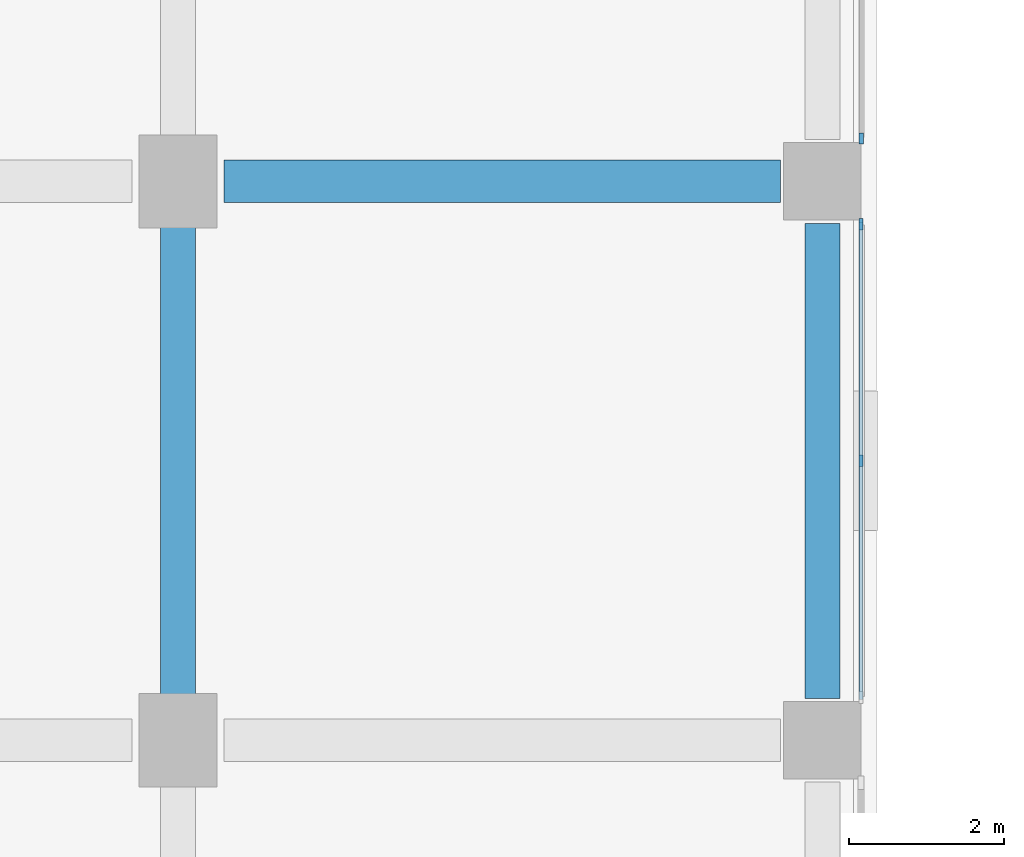
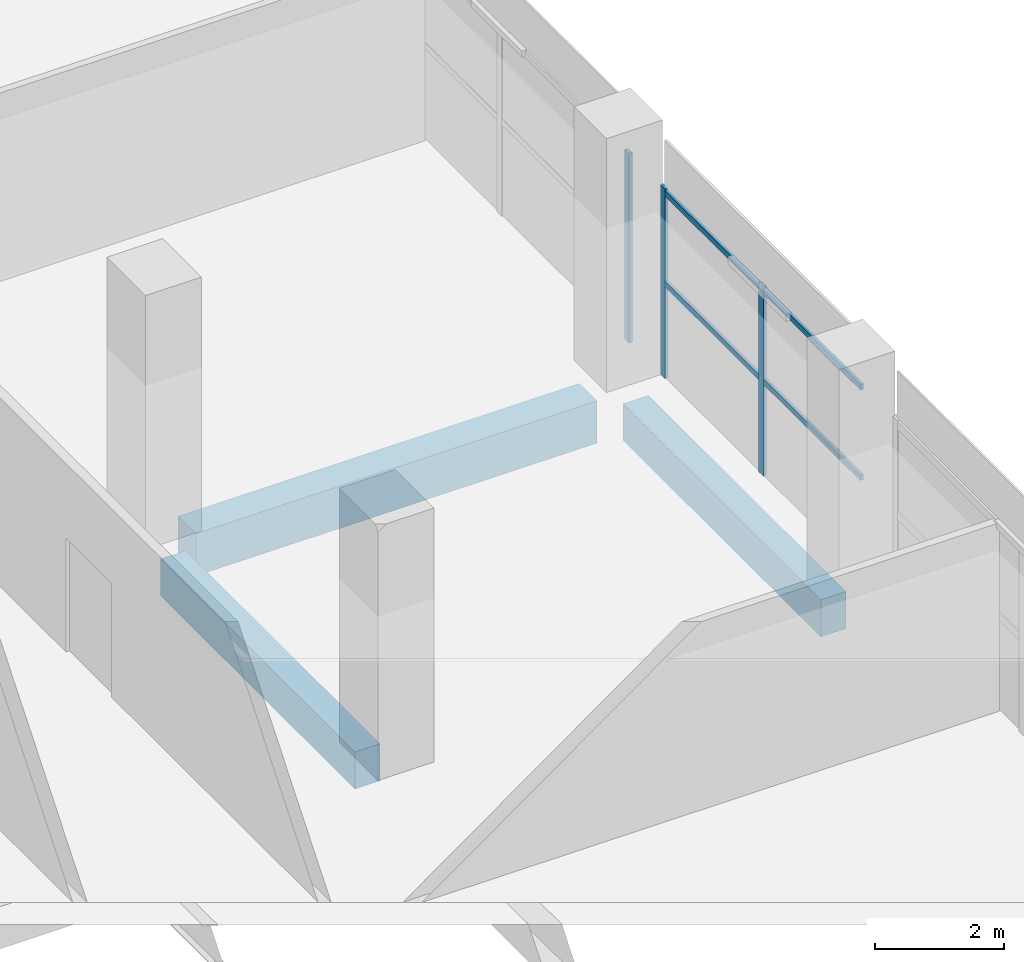
# One storey, part 19 of 111: 5 members, 3 beams, 2 elements without a shape of their own.
"""IFC4 building model written with IfcOpenShell, lengths in metres."""

from ifc_helpers import new_model, si_unit, direction, frame, origin, origin_2d, place, context, subcontext, project, spatial, rectangle, extrude, material, material_profile, profile_set, type_object, element, aggregate, save


model = new_model("IFC4")

# Units and contexts
model_context = context("Model", 3, precision=1e-05, world=origin(), true_north=direction((0.0, 1.0)))
body_context = subcontext(model_context, "Body", "Model", "MODEL_VIEW")
ifc_project = project(units=[si_unit("LENGTHUNIT", "METRE"), si_unit("AREAUNIT", "SQUARE_METRE"), si_unit("VOLUMEUNIT", "CUBIC_METRE"), si_unit("PLANEANGLEUNIT", "RADIAN"), si_unit("MASSUNIT", "GRAM", prefix="KILO"), si_unit("THERMODYNAMICTEMPERATUREUNIT", "KELVIN"), si_unit("POWERUNIT", "WATT")], contexts=[model_context])

# Site, building, storey
site_placement = place(None, origin())
site = spatial("IfcSite", under=ifc_project, at=site_placement, CompositionType="ELEMENT")
building_placement = place(site_placement, origin())
building = spatial("IfcBuilding", under=site, at=building_placement, Name="Sindhuravela Promenade Stadium", CompositionType="ELEMENT")
storey_placement = place(building_placement, frame((0.0, 0.0, 9.60009765625)))
storey = spatial("IfcBuildingStorey", under=building, at=storey_placement, Name="L02", CompositionType="ELEMENT", Elevation=9.60009765625)

# Curtain wall, member
ifc_material_1 = material(Name="Anodised architectural aluminium 6063-T6", Category="aluminium")
curtain_wall_type_1 = type_object("IfcCurtainWallType", Name="CW-MOD-1", PredefinedType="NOTDEFINED", material=ifc_material_1)
curtain_wall_1_placement = place(storey_placement, origin())
curtain_wall_1 = element("IfcCurtainWall", 1, at=curtain_wall_1_placement, inside=storey, type_object=curtain_wall_type_1, Name="Bronze curtain wall CW-WEST-L02-016", PredefinedType="NOTDEFINED")
ifc_material_profile_1 = material_profile(ifc_material_1, rectangle(XDim=0.06005859375, YDim=0.139892578125, at=origin_2d()), Name="ALU M60x140")
ifc_profile_set_1 = profile_set([ifc_material_profile_1], Name="Anodised architectural aluminium 6063-T6")
member_type_1 = type_object("IfcMemberType", Name="CW-MUL-5", PredefinedType="MULLION", material=ifc_profile_set_1)
member_1_placement = place(storey_placement, frame((44.800048828125, 101.35009765625, 0.0), z_axis=(0.0, 0.0, 1.0), x_axis=(1.0, 0.0, 0.0)))
member_1 = element("IfcMember", 2, at=member_1_placement, type_object=member_type_1, Name="Curtain wall mullion CW-WEST-L02-016-M3", PredefinedType="MULLION", context=body_context, shape_type="SweptSolid", body=[
    extrude(rectangle(XDim=0.06005859375, YDim=0.139892578125, at=origin_2d()), origin(), (0.0, 0.0, 1.0), 3.579833984375),
])
aggregate(curtain_wall_1, [member_1])

# Curtain wall, members
curtain_wall_type_2 = type_object("IfcCurtainWallType", Name="CW-MOD-2", PredefinedType="NOTDEFINED", material=ifc_material_1)
curtain_wall_2_placement = place(storey_placement, origin())
curtain_wall_2 = element("IfcCurtainWall", 3, at=curtain_wall_2_placement, inside=storey, type_object=curtain_wall_type_2, Name="Bronze curtain wall CW-WEST-L02-017", PredefinedType="NOTDEFINED")
ifc_material_profile_2 = material_profile(ifc_material_1, rectangle(XDim=0.054931640625, YDim=0.14990234375, at=origin_2d()), Name="ALU M55x150")
ifc_profile_set_2 = profile_set([ifc_material_profile_2], Name="Anodised architectural aluminium 6063-T6")
member_type_2 = type_object("IfcMemberType", Name="CW-MUL-6", PredefinedType="MULLION", material=ifc_profile_set_2)
member_2_placement = place(storey_placement, frame((44.800048828125, 100.25, 0.0), z_axis=(0.0, 0.0, 1.0), x_axis=(1.0, 0.0, 0.0)))
member_2 = element("IfcMember", 4, at=member_2_placement, type_object=member_type_2, Name="Curtain wall mullion CW-WEST-L02-017-M1", PredefinedType="MULLION", context=body_context, shape_type="SweptSolid", body=[
    extrude(rectangle(XDim=0.054931640625, YDim=0.14990234375, at=origin_2d()), origin(), (0.0, 0.0, 1.0), 3.579833984375),
])
member_3_placement = place(storey_placement, frame((44.800048828125, 97.199951171875, 0.0), z_axis=(0.0, 0.0, 1.0), x_axis=(1.0, 0.0, 0.0)))
member_3 = element("IfcMember", 5, at=member_3_placement, type_object=member_type_2, Name="Curtain wall mullion CW-WEST-L02-017-M2", PredefinedType="MULLION", context=body_context, shape_type="SweptSolid", body=[
    extrude(rectangle(XDim=0.054931640625, YDim=0.14990234375, at=origin_2d()), origin(), (0.0, 0.0, 1.0), 3.579833984375),
])
ifc_material_profile_3 = material_profile(ifc_material_1, rectangle(XDim=0.054931640625, YDim=0.10498046875, at=origin_2d()), Name="ALU T55x105")
ifc_profile_set_3 = profile_set([ifc_material_profile_3], Name="Anodised architectural aluminium 6063-T6")
member_type_3 = type_object("IfcMemberType", Name="CW-TRN-6", PredefinedType="USERDEFINED", material=ifc_profile_set_3)
member_4_placement = place(storey_placement, frame((44.800048828125, 100.27490234375, 1.789794921875), z_axis=(0.0, -1.0, 0.0), x_axis=(1.0, 0.0, 0.0)))
member_4 = element("IfcMember", 6, at=member_4_placement, type_object=member_type_3, Name="Curtain wall transom CW-WEST-L02-017-T1", ObjectType="TRANSOM", PredefinedType="USERDEFINED", context=body_context, shape_type="SweptSolid", body=[
    extrude(rectangle(XDim=0.054931640625, YDim=0.10498046875, at=origin_2d()), origin(), (0.0, 0.0, 1.0), 6.14990234375),
])
member_5_placement = place(storey_placement, frame((44.800048828125, 100.27490234375, 3.5), z_axis=(0.0, -1.0, 0.0), x_axis=(1.0, 0.0, 0.0)))
member_5 = element("IfcMember", 7, at=member_5_placement, type_object=member_type_3, Name="Curtain wall transom CW-WEST-L02-017-T2", ObjectType="TRANSOM", PredefinedType="USERDEFINED", context=body_context, shape_type="SweptSolid", body=[
    extrude(rectangle(XDim=0.054931640625, YDim=0.10498046875, at=origin_2d()), origin(), (0.0, 0.0, 1.0), 6.14990234375),
])
aggregate(curtain_wall_2, [member_2, member_3, member_4, member_5])

# Beams
ifc_material_2 = material(Name="Concrete M40", Category="concrete")
ifc_material_profile_4 = material_profile(ifc_material_2, rectangle(XDim=0.449951171875, YDim=0.699951171875, at=origin_2d()), Name="RC 450x700")
ifc_profile_set_4 = profile_set([ifc_material_profile_4], Name="Concrete M40")
beam_type_1 = type_object("IfcBeamType", Name="RC-BM-450x700", PredefinedType="BEAM", material=ifc_profile_set_4)
beam_1_placement = place(storey_placement, frame((36.0, 94.18994140625, -0.630126953125), z_axis=(0.0, 1.0, 0.0), x_axis=(-1.0, 0.0, 0.0)))
element("IfcBeam", 8, at=beam_1_placement, inside=storey, type_object=beam_type_1, Name="Primary beam GB07 WEST L02", PredefinedType="BEAM", context=body_context, shape_type="SweptSolid", body=[
    extrude(rectangle(XDim=0.449951171875, YDim=0.699951171875, at=origin_2d()), origin(), (0.0, 0.0, 1.0), 6.02001953125),
])
beam_2_placement = place(storey_placement, frame((44.300048828125, 94.139892578125, -0.630126953125), z_axis=(0.0, 1.0, 0.0), x_axis=(-1.0, 0.0, 0.0)))
element("IfcBeam", 9, at=beam_2_placement, inside=storey, type_object=beam_type_1, Name="Primary beam GB07 WEST L02", PredefinedType="BEAM", context=body_context, shape_type="SweptSolid", body=[
    extrude(rectangle(XDim=0.449951171875, YDim=0.699951171875, at=origin_2d()), origin(), (0.0, 0.0, 1.0), 6.1201171875),
])
ifc_material_profile_5 = material_profile(ifc_material_2, rectangle(XDim=0.550048828125, YDim=0.800048828125, at=origin_2d()), Name="RC 550x800")
ifc_profile_set_5 = profile_set([ifc_material_profile_5], Name="Concrete M40")
beam_type_2 = type_object("IfcBeamType", Name="RC-BM-550x800", PredefinedType="BEAM", material=ifc_profile_set_5)
beam_3_placement = place(storey_placement, frame((36.590087890625, 100.800048828125, -0.68017578125), z_axis=(1.0, 0.0, 0.0), x_axis=(0.0, 1.0, 0.0)))
element("IfcBeam", 10, at=beam_3_placement, inside=storey, type_object=beam_type_2, Name="Primary girder GB05 WEST L02", PredefinedType="BEAM", context=body_context, shape_type="SweptSolid", body=[
    extrude(rectangle(XDim=0.550048828125, YDim=0.800048828125, at=origin_2d()), origin(), (0.0, 0.0, 1.0), 7.169921875),
])

save(model, "model.ifc")
